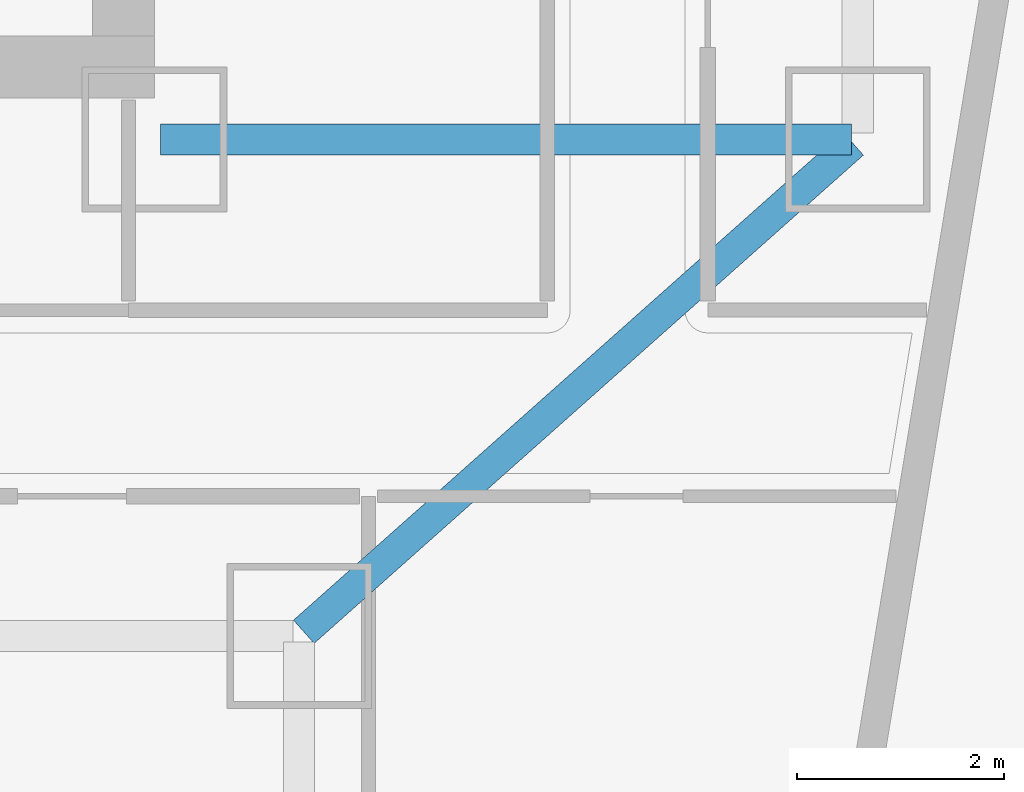
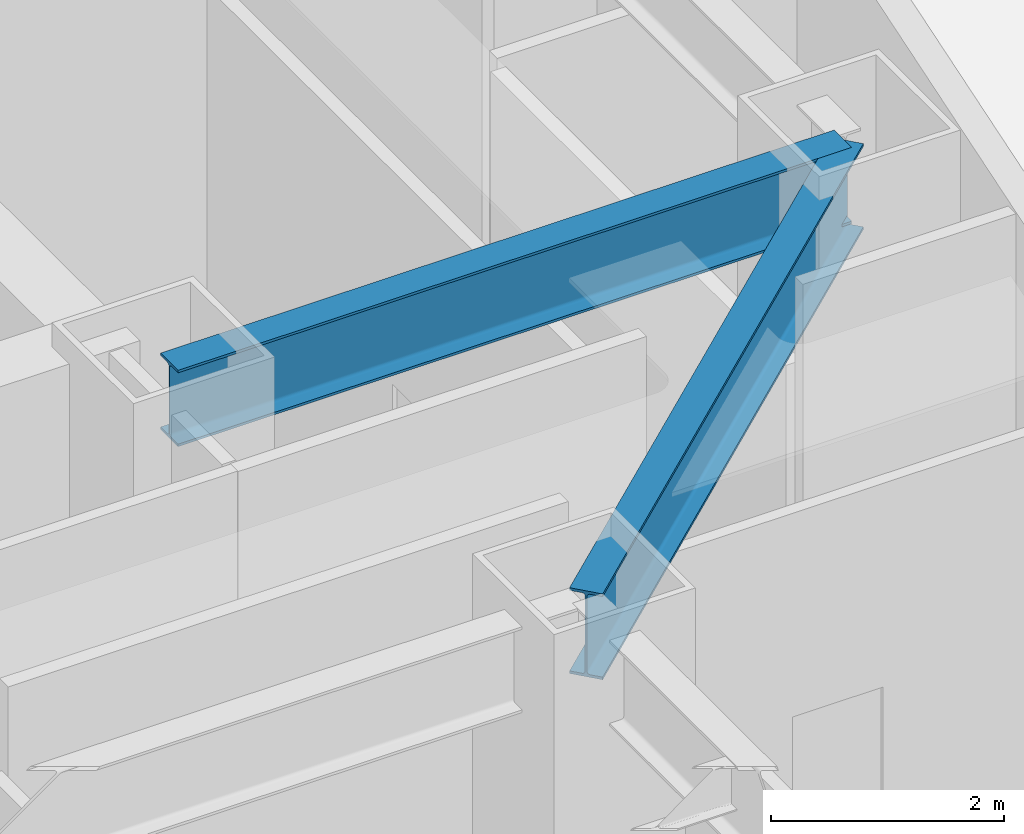
# One storey, part 17 of 29: 2 beams.
"""IFC4 building model written with IfcOpenShell, lengths in metres."""

from ifc_helpers import new_model, si_unit, direction, frame, origin, origin_2d, place, context, subcontext, project, spatial, i_section, extrude, material, material_profile, profile_set, type_object, element, save


model = new_model("IFC4")

# Units and contexts
model_context = context("Model", 3, precision=1e-05, world=origin(), true_north=direction((0.0, 1.0)))
body_context = subcontext(model_context, "Body", "Model", "MODEL_VIEW")
ifc_project = project(units=[si_unit("LENGTHUNIT", "METRE"), si_unit("AREAUNIT", "SQUARE_METRE"), si_unit("VOLUMEUNIT", "CUBIC_METRE"), si_unit("PLANEANGLEUNIT", "RADIAN"), si_unit("MASSUNIT", "GRAM", prefix="KILO")], contexts=[model_context])

# Site, building, storey
site_placement = place(None, origin())
site = spatial("IfcSite", under=ifc_project, at=site_placement, CompositionType="ELEMENT")
building_placement = place(site_placement, origin())
building = spatial("IfcBuilding", under=site, at=building_placement, Name="Saevonmaru Cultural Tower", CompositionType="ELEMENT")
storey_placement = place(building_placement, frame((0.0, 0.0, 27.60009765625)))
storey = spatial("IfcBuildingStorey", under=building, at=storey_placement, Name="L05", CompositionType="ELEMENT", Elevation=27.60009765625)

# Beams
ifc_material = material(Name="Steel SM420", Category="steel")
ifc_material_profile_1 = material_profile(ifc_material, i_section(OverallWidth=0.300048828125, OverallDepth=0.800048828125, WebThickness=0.013916015625, FlangeThickness=0.02587890625, FilletRadius=0.028076171875, at=origin_2d()), Name="H-800x300x14x26")
ifc_profile_set_1 = profile_set([ifc_material_profile_1], Name="Steel SM420")
beam_type_1 = type_object("IfcBeamType", Name="BM-G-H800", PredefinedType="BEAM", material=ifc_profile_set_1)
beam_1_placement = place(storey_placement, frame((46.4599609375, 42.39990234375, 4.75), z_axis=(1.0, 0.0, 0.0), x_axis=(0.0, 1.0, 0.0)))
element("IfcBeam", 1, at=beam_1_placement, inside=storey, type_object=beam_type_1, Name="L05 Core South Girder 5", PredefinedType="BEAM", context=body_context, shape_type="SweptSolid", body=[
    extrude(i_section(OverallWidth=0.300048828125, OverallDepth=0.800048828125, WebThickness=0.013916015625, FlangeThickness=0.02587890625, FilletRadius=0.028076171875, at=origin_2d()), origin(), (0.0, 0.0, 1.0), 6.679931640625),
])
ifc_material_profile_2 = material_profile(ifc_material, i_section(OverallWidth=0.300048828125, OverallDepth=0.89990234375, WebThickness=0.01611328125, FlangeThickness=0.028076171875, FilletRadius=0.028076171875, at=origin_2d()), Name="H-900x300x16x28")
ifc_profile_set_2 = profile_set([ifc_material_profile_2], Name="Steel SM420")
beam_type_2 = type_object("IfcBeamType", Name="BM-G-H900", PredefinedType="BEAM", material=ifc_profile_set_2)
beam_2_placement = place(storey_placement, frame((47.8447265625, 37.639892578125, 4.699951171875), z_axis=(0.74742827637, 0.664342510819, 0.0), x_axis=(-0.664342510819, 0.74742827637, 0.0)))
element("IfcBeam", 2, at=beam_2_placement, inside=storey, type_object=beam_type_2, Name="L05 Podium Girder NS4-6", PredefinedType="BEAM", context=body_context, shape_type="SweptSolid", body=[
    extrude(i_section(OverallWidth=0.300048828125, OverallDepth=0.89990234375, WebThickness=0.01611328125, FlangeThickness=0.028076171875, FilletRadius=0.028076171875, at=origin_2d()), origin(), (0.0, 0.0, 1.0), 7.10498046875),
])

save(model, "model.ifc")
